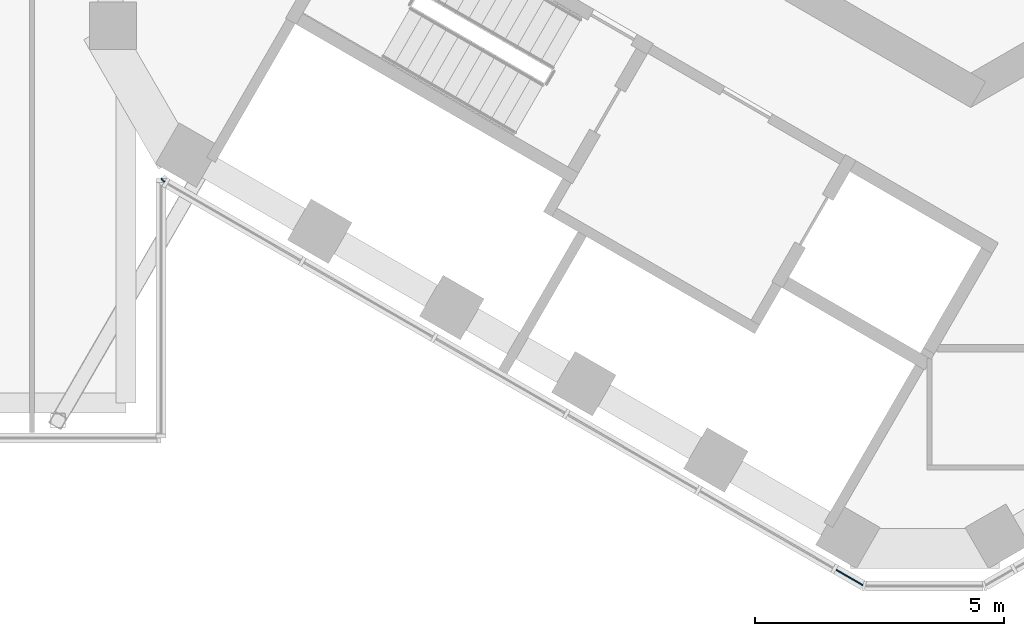
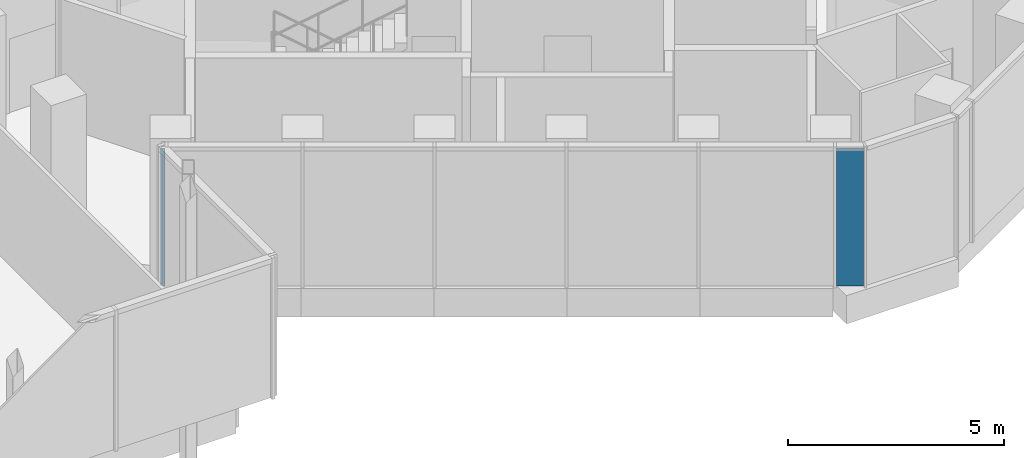
# One storey, part 9 of 21: 2 plates, 2 elements without a shape of their own.
"""IFC4 building model written with IfcOpenShell, lengths in metres."""

from ifc_helpers import new_model, si_unit, direction, frame, origin, origin_2d, place, context, subcontext, project, spatial, rectangle, extrude, material, layer, layer_set, type_object, element, aggregate, save


model = new_model("IFC4")

# Units and contexts
model_context = context("Model", 3, precision=1e-05, world=origin(), true_north=direction((0.0, 1.0)))
body_context = subcontext(model_context, "Body", "Model", "MODEL_VIEW")
ifc_project = project(units=[si_unit("LENGTHUNIT", "METRE"), si_unit("AREAUNIT", "SQUARE_METRE"), si_unit("VOLUMEUNIT", "CUBIC_METRE"), si_unit("PLANEANGLEUNIT", "RADIAN"), si_unit("MASSUNIT", "GRAM", prefix="KILO")], contexts=[model_context])

# Site, building, storey
site_placement = place(None, origin())
site = spatial("IfcSite", under=ifc_project, at=site_placement, CompositionType="ELEMENT")
building_placement = place(site_placement, origin())
building = spatial("IfcBuilding", under=site, at=building_placement, Name="Ayvan Gate Tower", CompositionType="ELEMENT")
storey_placement = place(building_placement, frame((0.0, 0.0, 206.10009765625)))
storey = spatial("IfcBuildingStorey", under=building, at=storey_placement, Name="L55", CompositionType="ELEMENT", Elevation=206.10009765625)

# Curtain wall, plate
ifc_material_1 = material(Name="Bronze anodised aluminium", Category="aluminium")
ifc_layer_1 = layer(ifc_material_1, 0.199951171875)
ifc_layer_set_1 = layer_set([ifc_layer_1], Name="Bronze anodised aluminium")
curtain_wall_type = type_object("IfcCurtainWallType", Name="Stick curtain wall CW-6", PredefinedType="NOTDEFINED", material=ifc_layer_set_1)
curtain_wall_1_placement = place(storey_placement, origin())
curtain_wall_1 = element("IfcCurtainWall", 1, at=curtain_wall_1_placement, inside=storey, type_object=curtain_wall_type, Name="Stick curtain wall CW-6 L55", PredefinedType="NOTDEFINED")
ifc_material_2 = material(Name="Clear low-iron laminated glass", Category="glass")
ifc_layer_2 = layer(ifc_material_2, 0.028076171875)
ifc_layer_set_2 = layer_set([ifc_layer_2], Name="Clear low-iron laminated glass")
plate_type = type_object("IfcPlateType", Name="Stick curtain wall CW-6 glass panel", PredefinedType="CURTAIN_PANEL", material=ifc_layer_set_2)
plate_1_placement = place(storey_placement, frame((-2.431640625, -20.404296875, 0.0), z_axis=(0.0, 0.0, 1.0), x_axis=(0.866025403784, -0.5, 0.0)))
plate_1 = element("IfcPlate", 2, at=plate_1_placement, type_object=plate_type, Name="CW-6 glass panel 1", PredefinedType="CURTAIN_PANEL", context=body_context, shape_type="SweptSolid", body=[
    extrude(rectangle(XDim=0.625, YDim=0.028076171875, at=origin_2d()), origin(), (0.0, 0.0, 1.0), 3.8798828125),
])
aggregate(curtain_wall_1, [plate_1])

curtain_wall_2_placement = place(storey_placement, origin())
curtain_wall_2 = element("IfcCurtainWall", 3, at=curtain_wall_2_placement, inside=storey, type_object=curtain_wall_type, Name="Stick curtain wall CW-6 L55", PredefinedType="NOTDEFINED")
plate_2_placement = place(storey_placement, frame((-16.21923828125, -12.42919921875, 0.0), z_axis=(0.0, 0.0, 1.0), x_axis=(0.707106781187, -0.707106781187, 0.0)))
plate_2 = element("IfcPlate", 4, at=plate_2_placement, type_object=plate_type, Name="CW-6 glass panel 1", PredefinedType="CURTAIN_PANEL", context=body_context, shape_type="SweptSolid", body=[
    extrude(rectangle(XDim=0.099365234375, YDim=0.028076171875, at=origin_2d()), origin(), (0.0, 0.0, 1.0), 3.8798828125),
])
aggregate(curtain_wall_2, [plate_2])

save(model, "model.ifc")
